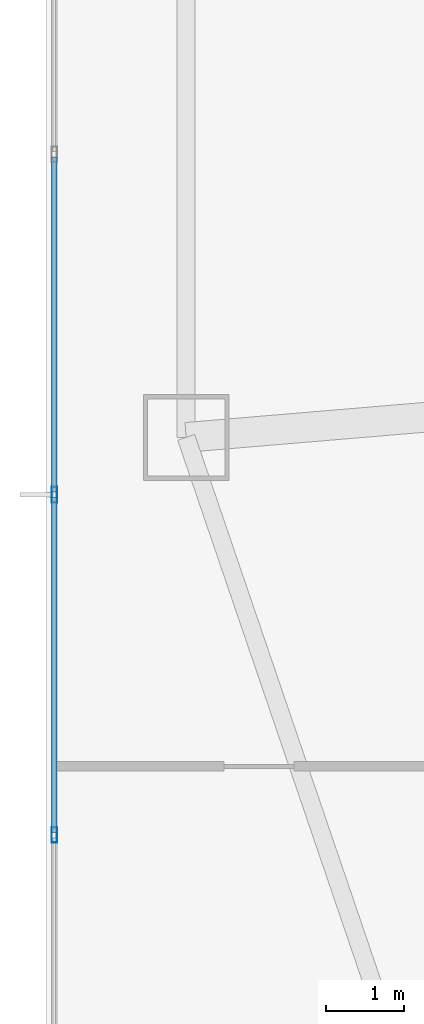
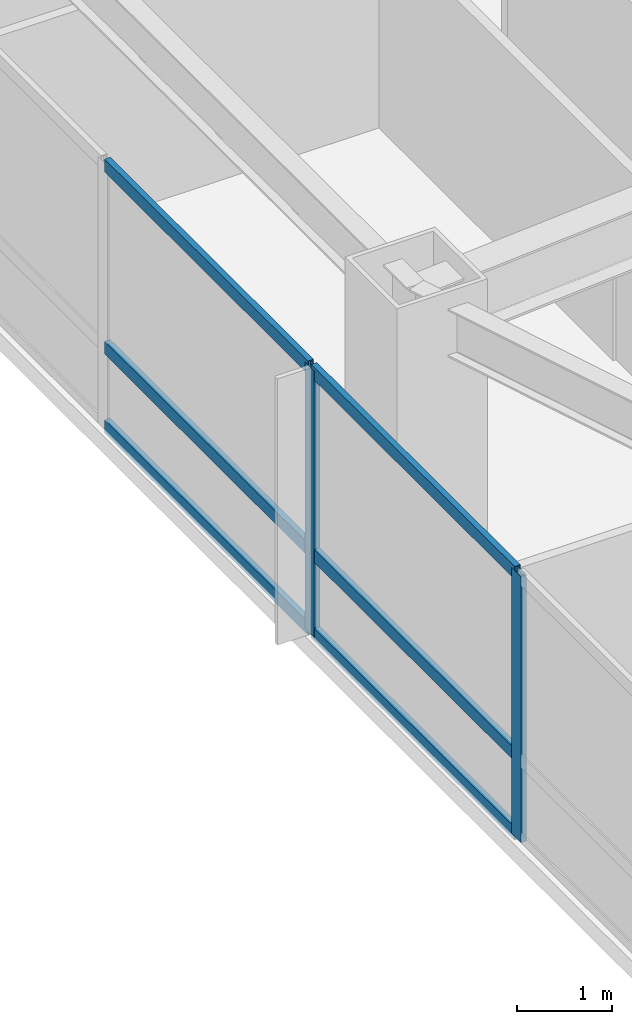
# One storey, part 4 of 18: 8 members, 1 element without a shape of its own.
"""IFC4 building model written with IfcOpenShell, lengths in metres."""

from ifc_helpers import new_model, si_unit, direction, frame, origin, origin_2d, place, context, subcontext, project, spatial, hollow_rectangle, extrude, material, material_profile, profile_set, type_object, element, aggregate, save


model = new_model("IFC4")

# Units and contexts
model_context = context("Model", 3, precision=1e-05, world=origin(), true_north=direction((0.0, 1.0)))
body_context = subcontext(model_context, "Body", "Model", "MODEL_VIEW")
ifc_project = project(units=[si_unit("LENGTHUNIT", "METRE"), si_unit("AREAUNIT", "SQUARE_METRE"), si_unit("VOLUMEUNIT", "CUBIC_METRE"), si_unit("PLANEANGLEUNIT", "RADIAN"), si_unit("MASSUNIT", "GRAM", prefix="KILO")], contexts=[model_context])

# Site, building, storey
site_placement = place(None, origin())
site = spatial("IfcSite", under=ifc_project, at=site_placement, CompositionType="ELEMENT")
building_placement = place(site_placement, origin())
building = spatial("IfcBuilding", under=site, at=building_placement, Name="Khamvora Tower", CompositionType="ELEMENT")
storey_placement = place(building_placement, frame((0.0, 0.0, 69.800048828125)))
storey = spatial("IfcBuildingStorey", under=building, at=storey_placement, Name="L17", CompositionType="ELEMENT", Elevation=69.800048828125)

# Curtain wall, members
ifc_material = material(Name="Anodised Aluminium 6063-T6", Category="aluminium")
curtain_wall_type = type_object("IfcCurtainWallType", Name="CW-SYS-02", PredefinedType="NOTDEFINED", material=ifc_material)
curtain_wall_placement = place(storey_placement, origin())
curtain_wall = element("IfcCurtainWall", 1, at=curtain_wall_placement, inside=storey, type_object=curtain_wall_type, Name="L17 stick curtain wall 02.1", PredefinedType="NOTDEFINED")
ifc_material_profile_1 = material_profile(ifc_material, hollow_rectangle(XDim=0.070068359375, YDim=0.199951171875, WallThickness=0.0048828125, at=origin_2d()), Name="MUL70x200x5")
ifc_profile_set_1 = profile_set([ifc_material_profile_1], Name="Anodised Aluminium 6063-T6")
member_type_1 = type_object("IfcMemberType", Name="CW-SYS-02-MUL", PredefinedType="MULLION", material=ifc_profile_set_1)
member_1_placement = place(storey_placement, frame((4.110107421875, 11.678466796875, 0.0), z_axis=(0.0, 0.0, 1.0), x_axis=(-1.0, 0.0, 0.0)))
member_1 = element("IfcMember", 2, at=member_1_placement, type_object=member_type_1, Name="CW-02 mullion 2", PredefinedType="MULLION", context=body_context, shape_type="SweptSolid", body=[
    extrude(hollow_rectangle(XDim=0.070068359375, YDim=0.199951171875, WallThickness=0.0048828125, at=origin_2d()), origin(), (0.0, 0.0, 1.0), 3.429931640625),
])
member_2_placement = place(storey_placement, frame((4.110107421875, 16.0400390625, 0.0), z_axis=(0.0, 0.0, 1.0), x_axis=(-1.0, 0.0, 0.0)))
member_2 = element("IfcMember", 3, at=member_2_placement, type_object=member_type_1, Name="CW-02 mullion 3", PredefinedType="MULLION", context=body_context, shape_type="SweptSolid", body=[
    extrude(hollow_rectangle(XDim=0.070068359375, YDim=0.199951171875, WallThickness=0.0048828125, at=origin_2d()), origin(), (0.0, 0.0, 1.0), 3.429931640625),
])
ifc_material_profile_2 = material_profile(ifc_material, hollow_rectangle(XDim=0.070068359375, YDim=0.1650390625, WallThickness=0.0048828125, at=origin_2d()), Name="TRN70x165x5")
ifc_profile_set_2 = profile_set([ifc_material_profile_2], Name="Anodised Aluminium 6063-T6")
member_type_2 = type_object("IfcMemberType", Name="CW-SYS-02-TRN", PredefinedType="USERDEFINED", material=ifc_profile_set_2)
member_3_placement = place(storey_placement, frame((4.110107421875, 11.71337890625, 0.034912109375), z_axis=(0.0, 1.0, 0.0), x_axis=(-1.0, 0.0, 0.0)))
member_3 = element("IfcMember", 4, at=member_3_placement, type_object=member_type_2, Name="CW-02 transom 2.1", ObjectType="TRANSOM", PredefinedType="USERDEFINED", context=body_context, shape_type="SweptSolid", body=[
    extrude(hollow_rectangle(XDim=0.070068359375, YDim=0.1650390625, WallThickness=0.0048828125, at=origin_2d()), origin(), (0.0, 0.0, 1.0), 4.29150390625),
])
member_4_placement = place(storey_placement, frame((4.110107421875, 11.71337890625, 1.050048828125), z_axis=(0.0, 1.0, 0.0), x_axis=(-1.0, 0.0, 0.0)))
member_4 = element("IfcMember", 5, at=member_4_placement, type_object=member_type_2, Name="CW-02 transom 2.2", ObjectType="TRANSOM", PredefinedType="USERDEFINED", context=body_context, shape_type="SweptSolid", body=[
    extrude(hollow_rectangle(XDim=0.070068359375, YDim=0.1650390625, WallThickness=0.0048828125, at=origin_2d()), origin(), (0.0, 0.0, 1.0), 4.29150390625),
])
member_5_placement = place(storey_placement, frame((4.110107421875, 11.71337890625, 3.39501953125), z_axis=(0.0, 1.0, 0.0), x_axis=(-1.0, 0.0, 0.0)))
member_5 = element("IfcMember", 6, at=member_5_placement, type_object=member_type_2, Name="CW-02 transom 2.3", ObjectType="TRANSOM", PredefinedType="USERDEFINED", context=body_context, shape_type="SweptSolid", body=[
    extrude(hollow_rectangle(XDim=0.070068359375, YDim=0.1650390625, WallThickness=0.0048828125, at=origin_2d()), origin(), (0.0, 0.0, 1.0), 4.29150390625),
])
member_6_placement = place(storey_placement, frame((4.110107421875, 16.074951171875, 0.034912109375), z_axis=(0.0, 1.0, 0.0), x_axis=(-1.0, 0.0, 0.0)))
member_6 = element("IfcMember", 7, at=member_6_placement, type_object=member_type_2, Name="CW-02 transom 3.1", ObjectType="TRANSOM", PredefinedType="USERDEFINED", context=body_context, shape_type="SweptSolid", body=[
    extrude(hollow_rectangle(XDim=0.070068359375, YDim=0.1650390625, WallThickness=0.0048828125, at=origin_2d()), origin(), (0.0, 0.0, 1.0), 4.29150390625),
])
member_7_placement = place(storey_placement, frame((4.110107421875, 16.074951171875, 1.050048828125), z_axis=(0.0, 1.0, 0.0), x_axis=(-1.0, 0.0, 0.0)))
member_7 = element("IfcMember", 8, at=member_7_placement, type_object=member_type_2, Name="CW-02 transom 3.2", ObjectType="TRANSOM", PredefinedType="USERDEFINED", context=body_context, shape_type="SweptSolid", body=[
    extrude(hollow_rectangle(XDim=0.070068359375, YDim=0.1650390625, WallThickness=0.0048828125, at=origin_2d()), origin(), (0.0, 0.0, 1.0), 4.29150390625),
])
member_8_placement = place(storey_placement, frame((4.110107421875, 16.074951171875, 3.39501953125), z_axis=(0.0, 1.0, 0.0), x_axis=(-1.0, 0.0, 0.0)))
member_8 = element("IfcMember", 9, at=member_8_placement, type_object=member_type_2, Name="CW-02 transom 3.3", ObjectType="TRANSOM", PredefinedType="USERDEFINED", context=body_context, shape_type="SweptSolid", body=[
    extrude(hollow_rectangle(XDim=0.070068359375, YDim=0.1650390625, WallThickness=0.0048828125, at=origin_2d()), origin(), (0.0, 0.0, 1.0), 4.29150390625),
])
aggregate(curtain_wall, [member_1, member_2, member_3, member_4, member_5, member_6, member_7, member_8])

save(model, "model.ifc")
